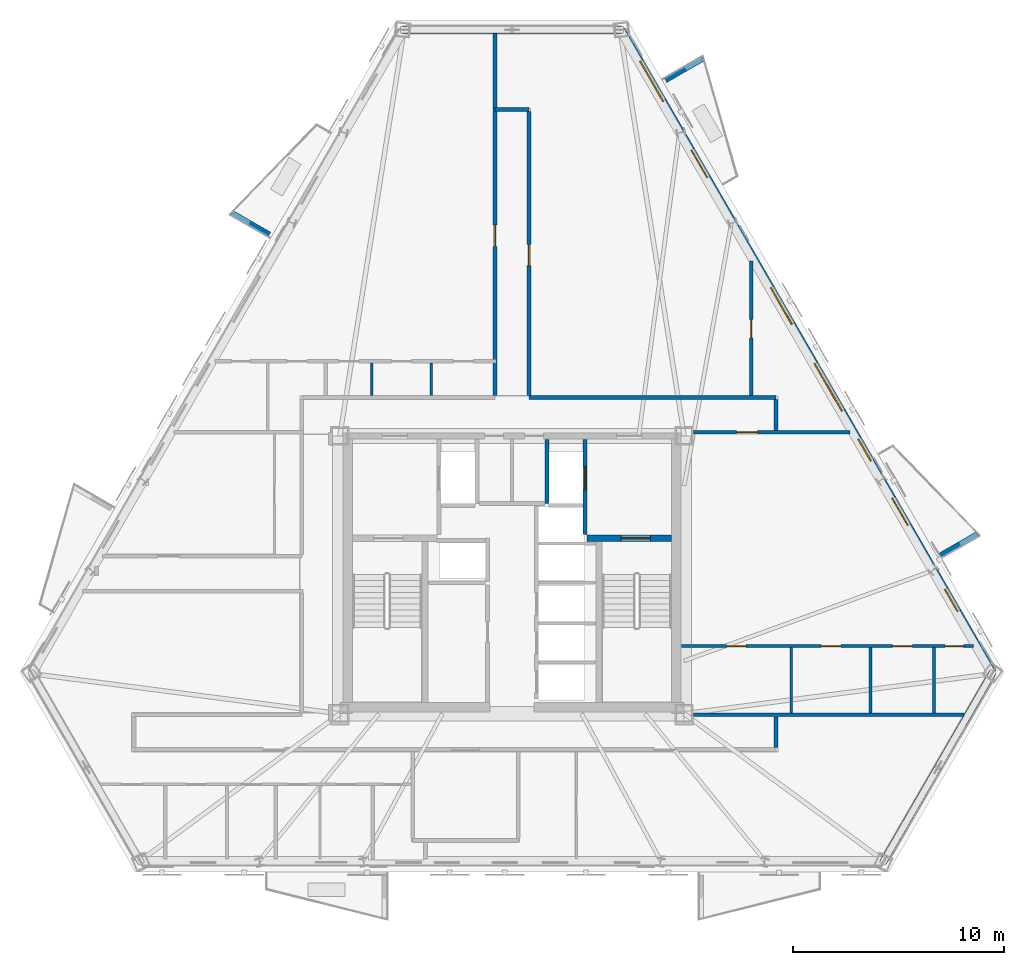
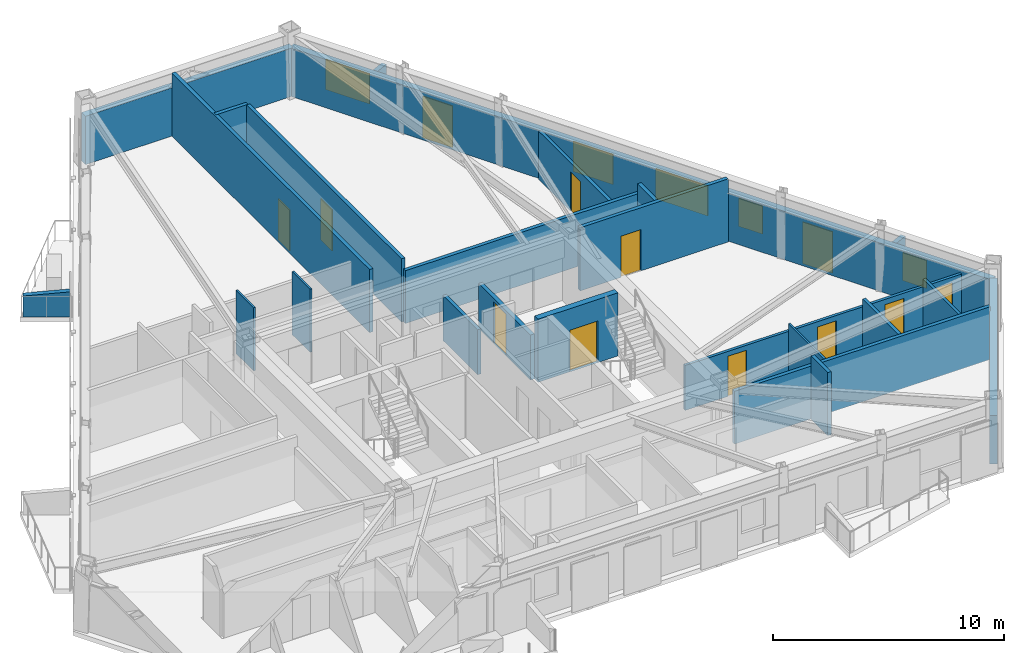
# One storey, part 5 of 9: 24 walls, 12 doors, 5 windows, 17 openings.
"""IFC4 building model written with IfcOpenShell, lengths in metres."""

import ifcopenshell
import ifcopenshell.guid

model = None  # the IFC model being written
_history = None  # IfcOwnerHistory: only IFC2X3 demands one
_inside = {}  # id of a spatial element -> (the spatial element, [elements in it])
_under = {}  # id of a project, library or spatial element -> (it, [spatial elements below it])
_declared = {}  # id of a project -> (the project, [libraries it declares])
_typed = {}  # id of a type object -> (the type object, [elements of that type])
_made_of = {}  # id of a material, layer set ... -> (it, [elements and type objects made of it])


def new_model(schema):
    """Start an empty IFC model of exactly this schema.

    Asked for "IFC4X3", IfcOpenShell would pick the latest addendum, in which some entities
    have other attributes; the version numbers below select the first issue.
    IFC2X3 requires an IfcOwnerHistory on every rooted entity: one is made here for all.
    """
    global model, _history
    if schema == "IFC4X3":
        model = ifcopenshell.file(schema_version=(4, 3, 0, 0))
    else:
        model = ifcopenshell.file(schema=schema)
    _inside.clear()
    _under.clear()
    _declared.clear()
    _typed.clear()
    _made_of.clear()
    _history = None
    if model.schema == "IFC2X3":
        org = make("IfcOrganization", Name="unknown")
        user = make(
            "IfcPersonAndOrganization",
            ThePerson=make("IfcPerson", FamilyName="unknown"),
            TheOrganization=org,
        )
        app = make(
            "IfcApplication",
            ApplicationDeveloper=org,
            Version="unknown",
            ApplicationFullName="unknown",
            ApplicationIdentifier="unknown",
        )
        _history = make(
            "IfcOwnerHistory",
            OwningUser=user,
            OwningApplication=app,
            ChangeAction="ADDED",
            CreationDate=0,
        )
    return model


def make(cls, **values):
    """One entity of the class cls with the attributes given. An attribute that is None is left unset."""
    return model.create_entity(
        cls, **{name: value for name, value in values.items() if value is not None}
    )


def rooted(cls, **values):
    """An entity with a GlobalId (a new one), such as an element, a storey or a relation."""
    return make(cls, GlobalId=ifcopenshell.guid.new(), OwnerHistory=_history, **values)


def si_unit(unit_type, name, prefix=None):
    """IfcSIUnit, for example si_unit("LENGTHUNIT", "METRE", prefix="MILLI")."""
    return make("IfcSIUnit", UnitType=unit_type, Prefix=prefix, Name=name)


def assignment(units):
    """IfcUnitAssignment: the units of a project."""
    return None if units is None else make("IfcUnitAssignment", Units=units)


def point(xyz):
    """IfcCartesianPoint."""
    return None if xyz is None else make("IfcCartesianPoint", Coordinates=xyz)


def direction(xyz):
    """IfcDirection."""
    return None if xyz is None else make("IfcDirection", DirectionRatios=xyz)


def frame(location, z_axis=None, x_axis=None):
    """IfcAxis2Placement3D, a coordinate frame: its origin and axes. An axis left out is left unset."""
    return make(
        "IfcAxis2Placement3D",
        Location=point(location),
        Axis=direction(z_axis),
        RefDirection=direction(x_axis),
    )


def frame_2d(location, x_axis=None):
    """IfcAxis2Placement2D, a coordinate frame in the plane: its origin and x axis."""
    return make(
        "IfcAxis2Placement2D", Location=point(location), RefDirection=direction(x_axis)
    )


def origin():
    """The frame at (0, 0, 0) with its axes left unset."""
    return frame((0.0, 0.0, 0.0))


def place(relative_to, where):
    """IfcLocalPlacement: puts the frame where relative to a parent placement (None: the world)."""
    return make(
        "IfcLocalPlacement", PlacementRelTo=relative_to, RelativePlacement=where
    )


def context(
    kind, dimensions, precision=None, world=None, true_north=None, identifier=None
):
    """IfcGeometricRepresentationContext, for example the 3D "Model" context."""
    return make(
        "IfcGeometricRepresentationContext",
        ContextIdentifier=identifier,
        ContextType=kind,
        CoordinateSpaceDimension=dimensions,
        Precision=precision,
        WorldCoordinateSystem=world,
        TrueNorth=true_north,
    )


def subcontext(parent, identifier, kind, view, scale=None):
    """IfcGeometricRepresentationSubContext, for example "Body" below "Model"."""
    return make(
        "IfcGeometricRepresentationSubContext",
        ContextIdentifier=identifier,
        ContextType=kind,
        ParentContext=parent,
        TargetScale=scale,
        TargetView=view,
    )


def project(units=None, contexts=None):
    """IfcProject with its units and contexts."""
    return rooted(
        "IfcProject",
        Name="project",
        RepresentationContexts=contexts,
        UnitsInContext=assignment(units),
    )


def spatial(cls, under=None, at=None, **own):
    """A site, building, storey or space (cls), placed at a placement, below another one or the project."""
    s = rooted(cls, ObjectPlacement=at, **own)
    if under is not None:
        _under.setdefault(under.id(), (under, []))[1].append(s)
    return s


def polyline(points):
    """IfcPolyline through the points."""
    return make("IfcPolyline", Points=[point(p) for p in points])


def profile(cls, at=None, kind="AREA", **sizes):
    """A parametric profile (cls). Its sizes go by their IFC names, for example OverallWidth=200.0."""
    return make(cls, ProfileType=kind, Position=at, **sizes)


def rectangle(**sizes):
    """IfcRectangleProfileDef."""
    return profile("IfcRectangleProfileDef", **sizes)


def outline(outer, holes=None, kind="AREA"):
    """IfcArbitraryClosedProfileDef: a profile drawn as a closed curve; with holes, ...WithVoids."""
    if holes is None:
        return make("IfcArbitraryClosedProfileDef", ProfileType=kind, OuterCurve=outer)
    return make(
        "IfcArbitraryProfileDefWithVoids",
        ProfileType=kind,
        OuterCurve=outer,
        InnerCurves=holes,
    )


def extrude(swept, where, along, depth):
    """IfcExtrudedAreaSolid: the profile swept, set in the frame where, extruded along a direction by depth."""
    return make(
        "IfcExtrudedAreaSolid",
        SweptArea=swept,
        Position=where,
        ExtrudedDirection=direction(along),
        Depth=depth,
    )


def shape(context_of_items, identifier, shape_type, items):
    """IfcShapeRepresentation: the items that make up one representation, for example the "Body"."""
    return make(
        "IfcShapeRepresentation",
        ContextOfItems=context_of_items,
        RepresentationIdentifier=identifier,
        RepresentationType=shape_type,
        Items=items,
    )


def material(Name=None, Category=None):
    """IfcMaterial."""
    return make("IfcMaterial", Name=Name, Category=Category)


def layer(
    of_material, thickness, ventilated=None, Name=None, Category=None, Priority=None
):
    """IfcMaterialLayer: one layer of a wall or slab, of a material (None: an air gap)."""
    return make(
        "IfcMaterialLayer",
        Material=of_material,
        LayerThickness=thickness,
        IsVentilated=ventilated,
        Name=Name,
        Category=Category,
        Priority=Priority,
    )


def layer_set(layers, Name=None):
    """IfcMaterialLayerSet."""
    return make("IfcMaterialLayerSet", MaterialLayers=layers, LayerSetName=Name)


def made_of(thing, what):
    """Note that an element or type object is made of a material, layer set ...; save() writes the relation."""
    if what is not None:
        _made_of.setdefault(what.id(), (what, []))[1].append(thing)
    return thing


def type_object(cls, material=None, **own):
    """A type object (cls), such as IfcWallType, which elements share."""
    return made_of(rooted(cls, **own), material)


def element(
    cls,
    number,
    at=None,
    inside=None,
    cuts=None,
    type_object=None,
    material=None,
    context=None,
    identifier="Body",
    shape_type=None,
    held_by="IfcProductDefinitionShape",
    body=None,
    shapes=None,
    **own,
):
    """One element of the class cls, such as IfcWall. Its Tag is "e" and its number.

    at: its placement. inside: the storey or other place that contains it. cuts: it is an
    opening in that element (IfcRelVoidsElement). A single representation is given by context,
    identifier, shape_type and body (its items); several are given by shapes. held_by: the class
    of the entity that holds the representations. save() writes the other relations.
    """
    e = rooted(cls, Tag="e%d" % number, ObjectPlacement=at, **own)
    if body is not None:
        shapes = [shape(context, identifier, shape_type, body)]
    if shapes is not None:
        e.Representation = make(held_by, Representations=shapes)
    if inside is not None:
        _inside.setdefault(inside.id(), (inside, []))[1].append(e)
    if cuts is not None:
        rooted(
            "IfcRelVoidsElement", RelatingBuildingElement=cuts, RelatedOpeningElement=e
        )
    if type_object is not None:
        _typed.setdefault(type_object.id(), (type_object, []))[1].append(e)
    return made_of(e, material)


def fill(opening, filler):
    """IfcRelFillsElement: the door or window that sits in an opening."""
    return rooted(
        "IfcRelFillsElement",
        RelatingOpeningElement=opening,
        RelatedBuildingElement=filler,
    )


def aggregate(whole, parts):
    """IfcRelAggregates: a whole, such as a stair, and the parts it consists of."""
    return rooted("IfcRelAggregates", RelatingObject=whole, RelatedObjects=parts)


def save(model, path):
    """Write the relations noted so far, then the file.

    IfcRelAggregates (storeys below a building ...), IfcRelContainedInSpatialStructure (elements
    in a storey), IfcRelDefinesByType, IfcRelAssociatesMaterial and IfcRelDeclares: one each for
    every whole, place, type object, material and project.
    """
    for whole, parts in _under.values():
        aggregate(whole, parts)
    for where, things in _inside.values():
        rooted(
            "IfcRelContainedInSpatialStructure",
            RelatedElements=things,
            RelatingStructure=where,
        )
    for kind, things in _typed.values():
        rooted("IfcRelDefinesByType", RelatedObjects=things, RelatingType=kind)
    for what, things in _made_of.values():
        rooted("IfcRelAssociatesMaterial", RelatedObjects=things, RelatingMaterial=what)
    for by, libraries in _declared.values():
        rooted("IfcRelDeclares", RelatingContext=by, RelatedDefinitions=libraries)
    model.write(path)


model = new_model("IFC4")

# Units and contexts
model_context = context("Model", 3, precision=1e-05, world=origin(), true_north=direction((0.0, 1.0)))
body_context = subcontext(model_context, "Body", "Model", "MODEL_VIEW")
ifc_project = project(units=[si_unit("LENGTHUNIT", "METRE"), si_unit("AREAUNIT", "SQUARE_METRE"), si_unit("VOLUMEUNIT", "CUBIC_METRE"), si_unit("PLANEANGLEUNIT", "RADIAN"), si_unit("MASSUNIT", "GRAM", prefix="KILO")], contexts=[model_context])

# Site, building, storey
site_placement = place(None, origin())
site = spatial("IfcSite", under=ifc_project, at=site_placement, CompositionType="ELEMENT")
building_placement = place(site_placement, origin())
building = spatial("IfcBuilding", under=site, at=building_placement, Name="Oramaril Tower", CompositionType="ELEMENT")
storey_placement = place(building_placement, frame((0.0, 0.0, 130.199951171875)))
storey = spatial("IfcBuildingStorey", under=building, at=storey_placement, Name="L34", CompositionType="ELEMENT", Elevation=130.199951171875)

# Wall
ifc_material_1 = material(Name="Warm Cream Limestone", Category="masonry")
ifc_layer_1 = layer(ifc_material_1, 0.340087890625)
ifc_layer_set_1 = layer_set([ifc_layer_1], Name="WT-EXT34")
wall_type_1 = type_object("IfcWallType", Name="WT-EXT34", PredefinedType="SOLIDWALL", material=ifc_layer_set_1)
wall_1_placement = place(storey_placement, frame((55.060791015625, 3.9599609375, 0.0), z_axis=(0.0, 0.0, 1.0), x_axis=(0.499998958472, 0.86602600511, 0.0)))
element("IfcWall", 1, at=wall_1_placement, inside=storey, type_object=wall_type_1, Name="L34 Tower Limestone Facade Wall 3M", PredefinedType="SOLIDWALL", context=body_context, shape_type="SweptSolid", body=[
    extrude(rectangle(XDim=10.39453125, YDim=0.340087890625, at=frame_2d((5.197265625, 0.0))), origin(), (0.0, 0.0, 1.0), 2.55810546875),
])

# Wall, openings, doors, windows
wall_2_placement = place(storey_placement, frame((60.258056640625, 12.9619140625, 0.0), z_axis=(0.0, 0.0, 1.0), x_axis=(-0.499999044439, 0.866025955477, 0.0)))
wall_2 = element("IfcWall", 2, at=wall_2_placement, inside=storey, type_object=wall_type_1, Name="L34 Tower Limestone Facade Wall 4M", PredefinedType="SOLIDWALL", context=body_context, shape_type="SweptSolid", body=[
    extrude(rectangle(XDim=35.12158203125, YDim=0.340087890625, at=frame_2d((17.560791015625, 0.0))), origin(), (0.0, 0.0, 1.0), 2.55810546875),
])
opening_1_placement = place(wall_2_placement, frame((8.034423828125, 0.0, 0.0)))
opening_1 = element("IfcOpeningElement", 3, at=opening_1_placement, cuts=wall_2, Name="Opening D-L34-BAL-NE1", PredefinedType="OPENING", context=body_context, shape_type="SweptSolid", body=[
    extrude(rectangle(XDim=1.5, YDim=2.199951171875, at=frame_2d((0.75, 1.10009765625))), frame((0.0, 0.169921875, 0.0), z_axis=(0.0, -1.0, 0.0), x_axis=(1.0, 0.0, 0.0)), (0.0, 0.0, 1.0), 0.340087890625),
])
opening_2_placement = place(wall_2_placement, frame((27.042236328125, 0.0, 0.0)))
opening_2 = element("IfcOpeningElement", 4, at=opening_2_placement, cuts=wall_2, Name="Opening D-L34-BAL-NE2", PredefinedType="OPENING", context=body_context, shape_type="SweptSolid", body=[
    extrude(rectangle(XDim=1.5, YDim=2.199951171875, at=frame_2d((0.75, 1.10009765625))), frame((0.0, 0.169921875, 0.0), z_axis=(0.0, -1.0, 0.0), x_axis=(1.0, 0.0, 0.0)), (0.0, 0.0, 1.0), 0.340087890625),
])
opening_3_placement = place(wall_2_placement, frame((3.326904296875, 0.0, 0.85009765625)))
opening_3 = element("IfcOpeningElement", 5, at=opening_3_placement, cuts=wall_2, Name="Opening WN-09", PredefinedType="OPENING", context=body_context, shape_type="SweptSolid", body=[
    extrude(rectangle(XDim=1.199951171875, YDim=1.47998046875, at=frame_2d((0.60009765625, 0.739990234375))), frame((0.0, 0.169921875, 0.0), z_axis=(0.0, -1.0, 0.0), x_axis=(1.0, 0.0, 0.0)), (0.0, 0.0, 1.0), 0.340087890625),
])
opening_4_placement = place(wall_2_placement, frame((11.543701171875, 0.0, 0.85009765625)))
opening_4 = element("IfcOpeningElement", 6, at=opening_4_placement, cuts=wall_2, Name="Opening WN-09", PredefinedType="OPENING", context=body_context, shape_type="SweptSolid", body=[
    extrude(rectangle(XDim=1.199951171875, YDim=1.47998046875, at=frame_2d((0.60009765625, 0.739990234375))), frame((0.0, 0.169921875, 0.0), z_axis=(0.0, -1.0, 0.0), x_axis=(1.0, 0.0, 0.0)), (0.0, 0.0, 1.0), 0.340087890625),
])
opening_5_placement = place(wall_2_placement, frame((31.20166015625, 0.0, 0.85009765625)))
opening_5 = element("IfcOpeningElement", 7, at=opening_5_placement, cuts=wall_2, Name="Opening WN-04", PredefinedType="OPENING", context=body_context, shape_type="SweptSolid", body=[
    extrude(rectangle(XDim=2.199951171875, YDim=1.597900390625, at=frame_2d((1.10009765625, 0.798828125))), frame((0.0, 0.169921875, 0.0), z_axis=(0.0, -1.0, 0.0), x_axis=(1.0, 0.0, 0.0)), (0.0, 0.0, 1.0), 0.340087890625),
])
opening_6_placement = place(wall_2_placement, frame((14.276611328125, 0.0, 0.85009765625)))
opening_6 = element("IfcOpeningElement", 8, at=opening_6_placement, cuts=wall_2, Name="Opening WN-02", PredefinedType="OPENING", context=body_context, shape_type="SweptSolid", body=[
    extrude(rectangle(XDim=2.60009765625, YDim=1.597900390625, at=frame_2d((1.300048828125, 0.798828125))), frame((0.0, 0.169921875, 0.0), z_axis=(0.0, -1.0, 0.0), x_axis=(1.0, 0.0, 0.0)), (0.0, 0.0, 1.0), 0.340087890625),
])
opening_7_placement = place(wall_2_placement, frame((19.02490234375, 0.0, 0.85009765625)))
opening_7 = element("IfcOpeningElement", 9, at=opening_7_placement, cuts=wall_2, Name="Opening WN-05", PredefinedType="OPENING", context=body_context, shape_type="SweptSolid", body=[
    extrude(rectangle(XDim=2.0, YDim=1.597900390625, at=frame_2d((1.0, 0.798828125))), frame((0.0, 0.169921875, 0.0), z_axis=(0.0, -1.0, 0.0), x_axis=(1.0, 0.0, 0.0)), (0.0, 0.0, 1.0), 0.340087890625),
])
ifc_material_2 = material(Name="Anodised Aluminium 6063-T6", Category="aluminium")
door_type_1 = type_object("IfcDoorType", Name="DT-BAL", OperationType="NOTDEFINED", PredefinedType="DOOR", material=ifc_material_2)
door_1_placement = place(opening_1_placement, origin())
door_1 = element("IfcDoor", 10, at=door_1_placement, inside=storey, type_object=door_type_1, Name="L34 Balcony Glazed Door L34-BAL-NE1", OperationType="SINGLE_SWING_LEFT", OverallHeight=2.199951171875, OverallWidth=1.5, PredefinedType="DOOR", context=body_context, shape_type="SweptSolid", body=[
    extrude(rectangle(XDim=1.5, YDim=2.199951171875, at=frame_2d((0.75, 1.10009765625))), frame((0.0, 0.02490234375, 0.0), z_axis=(0.0, -1.0, 0.0), x_axis=(1.0, 0.0, 0.0)), (0.0, 0.0, 1.0), 0.050048828125),
])
fill(opening_1, door_1)
door_2_placement = place(opening_2_placement, origin())
door_2 = element("IfcDoor", 11, at=door_2_placement, inside=storey, type_object=door_type_1, Name="L34 Balcony Glazed Door L34-BAL-NE2", OperationType="SINGLE_SWING_RIGHT", OverallHeight=2.199951171875, OverallWidth=1.5, PredefinedType="DOOR", context=body_context, shape_type="SweptSolid", body=[
    extrude(rectangle(XDim=1.5, YDim=2.199951171875, at=frame_2d((0.75, 1.10009765625))), frame((0.0, 0.02490234375, 0.0), z_axis=(0.0, -1.0, 0.0), x_axis=(1.0, 0.0, 0.0)), (0.0, 0.0, 1.0), 0.050048828125),
])
fill(opening_2, door_2)
ifc_material_3 = material(Name="Coastal Low-E Insulated Glass", Category="glass")
window_type_1 = type_object("IfcWindowType", Name="WNT-02", PartitioningType="SINGLE_PANEL", PredefinedType="WINDOW", material=ifc_material_3)
window_1_placement = place(opening_6_placement, origin())
window_1 = element("IfcWindow", 12, at=window_1_placement, inside=storey, type_object=window_type_1, Name="L34 Chicago Bay Window WN-02", OverallHeight=1.597900390625, OverallWidth=2.60009765625, PartitioningType="SINGLE_PANEL", PredefinedType="WINDOW", context=body_context, shape_type="SweptSolid", body=[
    extrude(rectangle(XDim=2.60009765625, YDim=1.597900390625, at=frame_2d((1.300048828125, 0.798828125))), frame((0.0, 0.030029296875, 0.0), z_axis=(0.0, -1.0, 0.0), x_axis=(1.0, 0.0, 0.0)), (0.0, 0.0, 1.0), 0.06005859375),
])
fill(opening_6, window_1)
ifc_material_4 = material(Name="Coastal Low-E Insulated Glass", Category="glass")
window_type_2 = type_object("IfcWindowType", Name="WNT-04", PartitioningType="SINGLE_PANEL", PredefinedType="WINDOW", material=ifc_material_4)
window_2_placement = place(opening_5_placement, origin())
window_2 = element("IfcWindow", 13, at=window_2_placement, inside=storey, type_object=window_type_2, Name="L34 Chicago Bay Window WN-04", OverallHeight=1.597900390625, OverallWidth=2.199951171875, PartitioningType="SINGLE_PANEL", PredefinedType="WINDOW", context=body_context, shape_type="SweptSolid", body=[
    extrude(rectangle(XDim=2.199951171875, YDim=1.597900390625, at=frame_2d((1.10009765625, 0.798828125))), frame((0.0, 0.030029296875, 0.0), z_axis=(0.0, -1.0, 0.0), x_axis=(1.0, 0.0, 0.0)), (0.0, 0.0, 1.0), 0.06005859375),
])
fill(opening_5, window_2)
ifc_material_5 = material(Name="Coastal Low-E Insulated Glass", Category="glass")
window_type_3 = type_object("IfcWindowType", Name="WNT-05", PartitioningType="SINGLE_PANEL", PredefinedType="WINDOW", material=ifc_material_5)
window_3_placement = place(opening_7_placement, origin())
window_3 = element("IfcWindow", 14, at=window_3_placement, inside=storey, type_object=window_type_3, Name="L34 Chicago Bay Window WN-05", OverallHeight=1.597900390625, OverallWidth=2.0, PartitioningType="SINGLE_PANEL", PredefinedType="WINDOW", context=body_context, shape_type="SweptSolid", body=[
    extrude(rectangle(XDim=2.0, YDim=1.597900390625, at=frame_2d((1.0, 0.798828125))), frame((0.0, 0.030029296875, 0.0), z_axis=(0.0, -1.0, 0.0), x_axis=(1.0, 0.0, 0.0)), (0.0, 0.0, 1.0), 0.06005859375),
])
fill(opening_7, window_3)
ifc_material_6 = material(Name="Coastal Low-E Insulated Glass", Category="glass")
window_type_4 = type_object("IfcWindowType", Name="WNT-09", PartitioningType="SINGLE_PANEL", PredefinedType="WINDOW", material=ifc_material_6)
window_4_placement = place(opening_3_placement, origin())
window_4 = element("IfcWindow", 15, at=window_4_placement, inside=storey, type_object=window_type_4, Name="L34 Chicago Bay Window WN-09", OverallHeight=1.47998046875, OverallWidth=1.199951171875, PartitioningType="SINGLE_PANEL", PredefinedType="WINDOW", context=body_context, shape_type="SweptSolid", body=[
    extrude(rectangle(XDim=1.199951171875, YDim=1.47998046875, at=frame_2d((0.60009765625, 0.739990234375))), frame((0.0, 0.030029296875, 0.0), z_axis=(0.0, -1.0, 0.0), x_axis=(1.0, 0.0, 0.0)), (0.0, 0.0, 1.0), 0.06005859375),
])
fill(opening_3, window_4)
window_5_placement = place(opening_4_placement, origin())
window_5 = element("IfcWindow", 16, at=window_5_placement, inside=storey, type_object=window_type_4, Name="L34 Chicago Bay Window WN-09", OverallHeight=1.47998046875, OverallWidth=1.199951171875, PartitioningType="SINGLE_PANEL", PredefinedType="WINDOW", context=body_context, shape_type="SweptSolid", body=[
    extrude(rectangle(XDim=1.199951171875, YDim=1.47998046875, at=frame_2d((0.60009765625, 0.739990234375))), frame((0.0, 0.030029296875, 0.0), z_axis=(0.0, -1.0, 0.0), x_axis=(1.0, 0.0, 0.0)), (0.0, 0.0, 1.0), 0.06005859375),
])
fill(opening_4, window_5)

# Walls
wall_3_placement = place(storey_placement, frame((42.697265625, 43.378173828125, 0.0), z_axis=(0.0, 0.0, 1.0), x_axis=(-1.0, 0.0, 0.0)))
element("IfcWall", 17, at=wall_3_placement, inside=storey, type_object=wall_type_1, Name="L34 Tower Limestone Facade Wall 5M", PredefinedType="SOLIDWALL", context=body_context, shape_type="SweptSolid", body=[
    extrude(rectangle(XDim=10.39453125, YDim=0.340087890625, at=frame_2d((5.197265625, 0.0))), origin(), (0.0, 0.0, 1.0), 2.55810546875),
])
ifc_material_7 = material(Name="Concrete C40/50", Category="concrete")
ifc_layer_2 = layer(ifc_material_7, 0.22998046875)
ifc_layer_set_2 = layer_set([ifc_layer_2], Name="WT-PRP23")
wall_type_2 = type_object("IfcWallType", Name="WT-PRP23", PredefinedType="PARAPET", material=ifc_layer_set_2)
for number, where, z_axis, x_axis, name in (
    (18, (57.75634765625, 18.4912109375, 0.0), (0.0, 0.0, 1.0), (0.866012356593, 0.500022597718, 0.0), "L34 Trapezoidal Balcony Frame Cheek L34-BAL-NE1-L"),
    (19, (44.7724609375, 40.97998046875, 0.0), (0.0, 0.0, 1.0), (0.866012356593, 0.500022597718, 0.0), "L34 Trapezoidal Balcony Frame Cheek L34-BAL-NE2-R"),
    (20, (26.02001953125, 33.6923828125, 0.0), (0.0, 0.0, 1.0), (-0.866012356593, 0.500022597718, 0.0), "L34 Trapezoidal Balcony Frame Cheek L34-BAL-NW1-R"),
):
    element("IfcWall", number, at=place(storey_placement, frame(where, z_axis=z_axis, x_axis=x_axis)), inside=storey, type_object=wall_type_2, Name=name, PredefinedType="PARAPET", context=body_context, shape_type="SweptSolid", body=[
        extrude(outline(polyline([(0.0, 0.0), (2.0419921875, 0.0), (2.0419921875, 1.10009765625), (0.0, 1.320068359375), (0.0, 0.0)])), frame((0.0, 0.114990234375, 0.0), z_axis=(0.0, -1.0, 0.0), x_axis=(1.0, 0.0, 0.0)), (0.0, 0.0, 1.0), 0.22998046875),
    ])
ifc_material_8 = material(Name="Acoustic Gypsum Board Partition")
ifc_layer_3 = layer(ifc_material_8, 0.10009765625)
ifc_layer_set_3 = layer_set([ifc_layer_3], Name="WT-PT10")
wall_type_3 = type_object("IfcWallType", Name="WT-PT10", PredefinedType="PARTITIONING", material=ifc_layer_set_3)
for number, where, z_axis, x_axis, name in (
    (21, (30.860107421875, 26.06396484375, 0.0), (0.0, 0.0, 1.0), (0.0, 1.0, 0.0), "L34 Interior Partition PT-10"),
    (22, (33.679931640625, 26.06396484375, 0.0), (0.0, 0.0, 1.0), (0.0, 1.0, 0.0), "L34 Interior Partition PT-10"),
):
    element("IfcWall", number, at=place(storey_placement, frame(where, z_axis=z_axis, x_axis=x_axis)), inside=storey, type_object=wall_type_3, Name=name, PredefinedType="PARTITIONING", context=body_context, shape_type="SweptSolid", body=[
        extrude(rectangle(XDim=1.5419921875, YDim=0.10009765625, at=frame_2d((0.77099609375, 0.0))), origin(), (0.0, 0.0, 1.0), 3.340087890625),
    ])
wall_4_placement = place(storey_placement, frame((50.719970703125, 11.0439453125, 0.0), z_axis=(0.0, 0.0, 1.0), x_axis=(0.0, 1.0, 0.0)))
element("IfcWall", 23, at=wall_4_placement, inside=storey, type_object=wall_type_3, Name="L34 Interior Partition PT-10", PredefinedType="PARTITIONING", context=body_context, shape_type="SweptSolid", body=[
    extrude(rectangle(XDim=3.08203125, YDim=0.10009765625, at=frame_2d((1.541015625, 0.0))), origin(), (0.0, 0.0, 1.0), 2.7939453125),
])

# Wall, openings, doors
ifc_material_9 = material(Name="Acoustic Gypsum Board Partition")
ifc_layer_4 = layer(ifc_material_9, 0.139892578125)
ifc_layer_set_4 = layer_set([ifc_layer_4], Name="WT-PT14")
wall_type_4 = type_object("IfcWallType", Name="WT-PT14", PredefinedType="PARTITIONING", material=ifc_layer_set_4)
wall_5_placement = place(storey_placement, frame((45.513916015625, 14.199951171875, 0.0), z_axis=(0.0, 0.0, 1.0), x_axis=(1.0, 0.0, 0.0)))
wall_5 = element("IfcWall", 24, at=wall_5_placement, inside=storey, type_object=wall_type_4, Name="L34 Interior Partition PT-14", PredefinedType="PARTITIONING", context=body_context, shape_type="SweptSolid", body=[
    extrude(rectangle(XDim=13.828369140625, YDim=0.139892578125, at=frame_2d((6.9140625, 0.0))), origin(), (0.0, 0.0, 1.0), 2.380126953125),
])
opening_8_placement = place(wall_5_placement, frame((2.14990234375, 0.0, 0.0)))
opening_8 = element("IfcOpeningElement", 25, at=opening_8_placement, cuts=wall_5, Name="Opening D-L34-10", PredefinedType="OPENING", context=body_context, shape_type="SweptSolid", body=[
    extrude(rectangle(XDim=0.919921875, YDim=2.1201171875, at=frame_2d((0.4599609375, 1.06005859375))), frame((0.0, 0.06982421875, 0.0), z_axis=(0.0, -1.0, 0.0), x_axis=(1.0, 0.0, 0.0)), (0.0, 0.0, 1.0), 0.139892578125),
])
opening_9_placement = place(wall_5_placement, frame((6.607177734375, 0.0, 0.0)))
opening_9 = element("IfcOpeningElement", 26, at=opening_9_placement, cuts=wall_5, Name="Opening D-L34-11", PredefinedType="OPENING", context=body_context, shape_type="SweptSolid", body=[
    extrude(rectangle(XDim=0.949951171875, YDim=2.10009765625, at=frame_2d((0.47509765625, 1.050048828125))), frame((0.0, 0.06982421875, 0.0), z_axis=(0.0, -1.0, 0.0), x_axis=(1.0, 0.0, 0.0)), (0.0, 0.0, 1.0), 0.139892578125),
])
opening_10_placement = place(wall_5_placement, frame((9.98828125, 0.0, 0.0)))
opening_10 = element("IfcOpeningElement", 27, at=opening_10_placement, cuts=wall_5, Name="Opening D-L34-12", PredefinedType="OPENING", context=body_context, shape_type="SweptSolid", body=[
    extrude(rectangle(XDim=0.949951171875, YDim=2.10009765625, at=frame_2d((0.47509765625, 1.050048828125))), frame((0.0, 0.06982421875, 0.0), z_axis=(0.0, -1.0, 0.0), x_axis=(1.0, 0.0, 0.0)), (0.0, 0.0, 1.0), 0.139892578125),
])
opening_11_placement = place(wall_5_placement, frame((12.486083984375, 0.0, 0.0)))
opening_11 = element("IfcOpeningElement", 28, at=opening_11_placement, cuts=wall_5, Name="Opening D-L34-13", PredefinedType="OPENING", context=body_context, shape_type="SweptSolid", body=[
    extrude(rectangle(XDim=0.8798828125, YDim=2.080078125, at=frame_2d((0.43994140625, 1.0400390625))), frame((0.0, 0.06982421875, 0.0), z_axis=(0.0, -1.0, 0.0), x_axis=(1.0, 0.0, 0.0)), (0.0, 0.0, 1.0), 0.139892578125),
])
ifc_material_10 = material(Name="FSC Brazilian Freijo Hardwood", Category="wood")
door_type_2 = type_object("IfcDoorType", Name="DT-BATH", OperationType="NOTDEFINED", PredefinedType="DOOR", material=ifc_material_10)
door_3_placement = place(opening_11_placement, origin())
door_3 = element("IfcDoor", 29, at=door_3_placement, inside=storey, type_object=door_type_2, Name="L34 Flat L34-U4 Bathroom Door D-L34-13", OperationType="SINGLE_SWING_LEFT", OverallHeight=2.080078125, OverallWidth=0.8798828125, PredefinedType="DOOR", context=body_context, shape_type="SweptSolid", body=[
    extrude(rectangle(XDim=0.8798828125, YDim=2.080078125, at=frame_2d((0.43994140625, 1.0400390625))), frame((0.0, 0.02490234375, 0.0), z_axis=(0.0, -1.0, 0.0), x_axis=(1.0, 0.0, 0.0)), (0.0, 0.0, 1.0), 0.050048828125),
])
fill(opening_11, door_3)
ifc_material_11 = material(Name="FSC Brazilian Freijo Hardwood", Category="wood")
door_type_3 = type_object("IfcDoorType", Name="DT-BED", OperationType="NOTDEFINED", PredefinedType="DOOR", material=ifc_material_11)
door_4_placement = place(opening_8_placement, origin())
door_4 = element("IfcDoor", 30, at=door_4_placement, inside=storey, type_object=door_type_3, Name="L34 Flat L34-U4 Master Bedroom Door D-L34-10", OperationType="SINGLE_SWING_RIGHT", OverallHeight=2.1201171875, OverallWidth=0.919921875, PredefinedType="DOOR", context=body_context, shape_type="SweptSolid", body=[
    extrude(rectangle(XDim=0.919921875, YDim=2.1201171875, at=frame_2d((0.4599609375, 1.06005859375))), frame((0.0, 0.02490234375, 0.0), z_axis=(0.0, -1.0, 0.0), x_axis=(1.0, 0.0, 0.0)), (0.0, 0.0, 1.0), 0.050048828125),
])
fill(opening_8, door_4)
ifc_material_12 = material(Name="FSC Brazilian Freijo Hardwood", Category="wood")
door_type_4 = type_object("IfcDoorType", Name="DT-STDY", OperationType="NOTDEFINED", PredefinedType="DOOR", material=ifc_material_12)
door_5_placement = place(opening_9_placement, origin())
door_5 = element("IfcDoor", 31, at=door_5_placement, inside=storey, type_object=door_type_4, Name="L34 Flat L34-U4 Dining Room Door D-L34-11", OperationType="SINGLE_SWING_LEFT", OverallHeight=2.10009765625, OverallWidth=0.949951171875, PredefinedType="DOOR", context=body_context, shape_type="SweptSolid", body=[
    extrude(rectangle(XDim=0.949951171875, YDim=2.10009765625, at=frame_2d((0.47509765625, 1.050048828125))), frame((0.0, 0.02490234375, 0.0), z_axis=(0.0, -1.0, 0.0), x_axis=(1.0, 0.0, 0.0)), (0.0, 0.0, 1.0), 0.050048828125),
])
fill(opening_9, door_5)
door_6_placement = place(opening_10_placement, origin())
door_6 = element("IfcDoor", 32, at=door_6_placement, inside=storey, type_object=door_type_4, Name="L34 Flat L34-U4 Kitchen Door D-L34-12", OperationType="SINGLE_SWING_RIGHT", OverallHeight=2.10009765625, OverallWidth=0.949951171875, PredefinedType="DOOR", context=body_context, shape_type="SweptSolid", body=[
    extrude(rectangle(XDim=0.949951171875, YDim=2.10009765625, at=frame_2d((0.47509765625, 1.050048828125))), frame((0.0, 0.02490234375, 0.0), z_axis=(0.0, -1.0, 0.0), x_axis=(1.0, 0.0, 0.0)), (0.0, 0.0, 1.0), 0.050048828125),
])
fill(opening_10, door_6)

# Wall
wall_6_placement = place(storey_placement, frame((57.47998046875, 11.0439453125, 0.0), z_axis=(0.0, 0.0, 1.0), x_axis=(0.0, 1.0, 0.0)))
element("IfcWall", 33, at=wall_6_placement, inside=storey, type_object=wall_type_4, Name="L34 Interior Partition PT-14", PredefinedType="PARTITIONING", context=body_context, shape_type="SweptSolid", body=[
    extrude(rectangle(XDim=3.08203125, YDim=0.139892578125, at=frame_2d((1.541015625, 0.0))), origin(), (0.0, 0.0, 1.0), 2.7939453125),
])

# Wall, opening, door
ifc_material_13 = material(Name="Acoustic Gypsum Board Partition")
ifc_layer_5 = layer(ifc_material_13, 0.159912109375)
ifc_layer_set_5 = layer_set([ifc_layer_5], Name="WT-PT16")
wall_type_5 = type_object("IfcWallType", Name="WT-PT16", PredefinedType="PARTITIONING", material=ifc_layer_set_5)
wall_7_placement = place(storey_placement, frame((48.820068359375, 26.06396484375, 0.0), z_axis=(0.0, 0.0, 1.0), x_axis=(0.0, 1.0, 0.0)))
wall_7 = element("IfcWall", 34, at=wall_7_placement, inside=storey, type_object=wall_type_5, Name="L34 Interior Partition PT-16", PredefinedType="PARTITIONING", context=body_context, shape_type="SweptSolid", body=[
    extrude(rectangle(XDim=6.361328125, YDim=0.159912109375, at=frame_2d((3.1806640625, 0.0))), origin(), (0.0, 0.0, 1.0), 2.55810546875),
])
opening_12_placement = place(wall_7_placement, frame((2.72412109375, 0.0, 0.0)))
opening_12 = element("IfcOpeningElement", 35, at=opening_12_placement, cuts=wall_7, Name="Opening D-L34-25", PredefinedType="OPENING", context=body_context, shape_type="SweptSolid", body=[
    extrude(rectangle(XDim=0.8798828125, YDim=2.080078125, at=frame_2d((0.43994140625, 1.0400390625))), frame((0.0, 0.080078125, 0.0), z_axis=(0.0, -1.0, 0.0), x_axis=(1.0, 0.0, 0.0)), (0.0, 0.0, 1.0), 0.159912109375),
])
door_7_placement = place(opening_12_placement, origin())
door_7 = element("IfcDoor", 36, at=door_7_placement, inside=storey, type_object=door_type_2, Name="L34 Flat L34-U6 Bathroom Door D-L34-25", OperationType="SINGLE_SWING_LEFT", OverallHeight=2.080078125, OverallWidth=0.8798828125, PredefinedType="DOOR", context=body_context, shape_type="SweptSolid", body=[
    extrude(rectangle(XDim=0.8798828125, YDim=2.080078125, at=frame_2d((0.43994140625, 1.0400390625))), frame((0.0, 0.02490234375, 0.0), z_axis=(0.0, -1.0, 0.0), x_axis=(1.0, 0.0, 0.0)), (0.0, 0.0, 1.0), 0.050048828125),
])
fill(opening_12, door_7)

# Walls
wall_8_placement = place(storey_placement, frame((54.469970703125, 11.0439453125, 0.0), z_axis=(0.0, 0.0, 1.0), x_axis=(0.0, 1.0, 0.0)))
element("IfcWall", 37, at=wall_8_placement, inside=storey, type_object=wall_type_5, Name="L34 Interior Partition PT-16", PredefinedType="PARTITIONING", context=body_context, shape_type="SweptSolid", body=[
    extrude(rectangle(XDim=3.08203125, YDim=0.159912109375, at=frame_2d((1.541015625, 0.0))), origin(), (0.0, 0.0, 1.0), 2.7939453125),
])
ifc_material_14 = material(Name="Autoclaved Cellular Concrete Block", Category="concrete")
ifc_layer_6 = layer(ifc_material_14, 0.179931640625)
ifc_layer_set_6 = layer_set([ifc_layer_6], Name="WT-PT18")
wall_type_6 = type_object("IfcWallType", Name="WT-PT18", PredefinedType="PARTITIONING", material=ifc_layer_set_6)
wall_9_placement = place(storey_placement, frame((39.159912109375, 20.9599609375, 0.0), z_axis=(0.0, 0.0, 1.0), x_axis=(0.0, 1.0, 0.0)))
element("IfcWall", 38, at=wall_9_placement, inside=storey, type_object=wall_type_6, Name="L34 FL-2 West Shaft Wall", PredefinedType="PARTITIONING", context=body_context, shape_type="SweptSolid", body=[
    extrude(rectangle(XDim=3.02001953125, YDim=0.179931640625, at=frame_2d((1.510009765625, 0.0))), origin(), (0.0, 0.0, 1.0), 2.380126953125),
])
wall_10_placement = place(storey_placement, frame((46.090087890625, 10.949951171875, 0.0), z_axis=(0.0, 0.0, 1.0), x_axis=(1.0, 0.0, 0.0)))
element("IfcWall", 39, at=wall_10_placement, inside=storey, type_object=wall_type_6, Name="L34 Interior Partition PT-18", PredefinedType="PARTITIONING", context=body_context, shape_type="SweptSolid", body=[
    extrude(rectangle(XDim=12.805419921875, YDim=0.179931640625, at=frame_2d((6.40283203125, 0.0))), origin(), (0.0, 0.0, 1.0), 2.7939453125),
])

# Wall, opening, door
wall_11_placement = place(storey_placement, frame((46.090087890625, 24.320068359375, 0.0), z_axis=(0.0, 0.0, 1.0), x_axis=(1.0, 0.0, 0.0)))
wall_11 = element("IfcWall", 40, at=wall_11_placement, inside=storey, type_object=wall_type_6, Name="L34 Interior Partition PT-18", PredefinedType="PARTITIONING", context=body_context, shape_type="SweptSolid", body=[
    extrude(rectangle(XDim=7.409423828125, YDim=0.179931640625, at=frame_2d((3.70458984375, 0.0))), origin(), (0.0, 0.0, 1.0), 3.340087890625),
])
opening_13_placement = place(wall_11_placement, frame((2.040771484375, 0.0, 0.0)))
opening_13 = element("IfcOpeningElement", 41, at=opening_13_placement, cuts=wall_11, Name="Opening D-L34-15", PredefinedType="OPENING", context=body_context, shape_type="SweptSolid", body=[
    extrude(rectangle(XDim=1.0, YDim=2.179931640625, at=frame_2d((0.5, 1.08984375))), frame((0.0, 0.08984375, 0.0), z_axis=(0.0, -1.0, 0.0), x_axis=(1.0, 0.0, 0.0)), (0.0, 0.0, 1.0), 0.179931640625),
])
ifc_material_15 = material(Name="FSC Brazilian Freijo Hardwood", Category="wood")
door_type_5 = type_object("IfcDoorType", Name="DT-APT", OperationType="NOTDEFINED", PredefinedType="DOOR", material=ifc_material_15)
door_8_placement = place(opening_13_placement, origin())
door_8 = element("IfcDoor", 42, at=door_8_placement, inside=storey, type_object=door_type_5, Name="L34 Flat L34-U4 Penthouse Living and Dining Room Door D-L34-15", OperationType="SINGLE_SWING_LEFT", OverallHeight=2.179931640625, OverallWidth=1.0, PredefinedType="DOOR", context=body_context, shape_type="SweptSolid", body=[
    extrude(rectangle(XDim=1.0, YDim=2.179931640625, at=frame_2d((0.5, 1.08984375))), frame((0.0, 0.02490234375, 0.0), z_axis=(0.0, -1.0, 0.0), x_axis=(1.0, 0.0, 0.0)), (0.0, 0.0, 1.0), 0.050048828125),
])
fill(opening_13, door_8)

# Walls
wall_12_placement = place(storey_placement, frame((38.300048828125, 25.969970703125, 0.0), z_axis=(0.0, 0.0, 1.0), x_axis=(1.0, 0.0, 0.0)))
element("IfcWall", 43, at=wall_12_placement, inside=storey, type_object=wall_type_6, Name="L34 Interior Partition PT-18", PredefinedType="PARTITIONING", context=body_context, shape_type="SweptSolid", body=[
    extrude(rectangle(XDim=11.699951171875, YDim=0.179931640625, at=frame_2d((5.85009765625, 0.0))), origin(), (0.0, 0.0, 1.0), 2.7939453125),
])
wall_13_placement = place(storey_placement, frame((36.699951171875, 39.60009765625, 0.0), z_axis=(0.0, 0.0, 1.0), x_axis=(1.0, 0.0, 0.0)))
element("IfcWall", 44, at=wall_13_placement, inside=storey, type_object=wall_type_6, Name="L34 Interior Partition PT-18", PredefinedType="PARTITIONING", context=body_context, shape_type="SweptSolid", body=[
    extrude(rectangle(XDim=1.60009765625, YDim=0.179931640625, at=frame_2d((0.800048828125, 0.0))), origin(), (0.0, 0.0, 1.0), 3.340087890625),
])

# Wall, opening, door
wall_14_placement = place(storey_placement, frame((36.699951171875, 26.06396484375, 0.0), z_axis=(0.0, 0.0, 1.0), x_axis=(0.0, 1.0, 0.0)))
wall_14 = element("IfcWall", 45, at=wall_14_placement, inside=storey, type_object=wall_type_6, Name="L34 Interior Partition PT-18", PredefinedType="PARTITIONING", context=body_context, shape_type="SweptSolid", body=[
    extrude(rectangle(XDim=17.14013671875, YDim=0.179931640625, at=frame_2d((8.570068359375, 0.0))), origin(), (0.0, 0.0, 1.0), 3.340087890625),
])
opening_14_placement = place(wall_14_placement, frame((7.06005859375, 0.0, 0.0)))
opening_14 = element("IfcOpeningElement", 46, at=opening_14_placement, cuts=wall_14, Name="Opening D-L34-22", PredefinedType="OPENING", context=body_context, shape_type="SweptSolid", body=[
    extrude(rectangle(XDim=1.0, YDim=2.179931640625, at=frame_2d((0.5, 1.08984375))), frame((0.0, 0.08984375, 0.0), z_axis=(0.0, -1.0, 0.0), x_axis=(1.0, 0.0, 0.0)), (0.0, 0.0, 1.0), 0.179931640625),
])
door_9_placement = place(opening_14_placement, origin())
door_9 = element("IfcDoor", 47, at=door_9_placement, inside=storey, type_object=door_type_5, Name="L34 Flat L34-U5 Studio Apartment Door D-L34-22", OperationType="SINGLE_SWING_RIGHT", OverallHeight=2.179931640625, OverallWidth=1.0, PredefinedType="DOOR", context=body_context, shape_type="SweptSolid", body=[
    extrude(rectangle(XDim=1.0, YDim=2.179931640625, at=frame_2d((0.5, 1.08984375))), frame((0.0, 0.02490234375, 0.0), z_axis=(0.0, -1.0, 0.0), x_axis=(1.0, 0.0, 0.0)), (0.0, 0.0, 1.0), 0.050048828125),
])
fill(opening_14, door_9)

wall_15_placement = place(storey_placement, frame((38.300048828125, 26.06396484375, 0.0), z_axis=(0.0, 0.0, 1.0), x_axis=(0.0, 1.0, 0.0)))
wall_15 = element("IfcWall", 48, at=wall_15_placement, inside=storey, type_object=wall_type_6, Name="L34 Interior Partition PT-18", PredefinedType="PARTITIONING", context=body_context, shape_type="SweptSolid", body=[
    extrude(rectangle(XDim=13.442138671875, YDim=0.179931640625, at=frame_2d((6.72119140625, 0.0))), origin(), (0.0, 0.0, 1.0), 3.340087890625),
])
opening_15_placement = place(wall_15_placement, frame((6.146484375, 0.0, 0.0)))
opening_15 = element("IfcOpeningElement", 49, at=opening_15_placement, cuts=wall_15, Name="Opening D-L34-23", PredefinedType="OPENING", context=body_context, shape_type="SweptSolid", body=[
    extrude(rectangle(XDim=1.0, YDim=2.179931640625, at=frame_2d((0.5, 1.08984375))), frame((0.0, 0.08984375, 0.0), z_axis=(0.0, -1.0, 0.0), x_axis=(1.0, 0.0, 0.0)), (0.0, 0.0, 1.0), 0.179931640625),
])
door_10_placement = place(opening_15_placement, origin())
door_10 = element("IfcDoor", 50, at=door_10_placement, inside=storey, type_object=door_type_5, Name="L34 Flat L34-U6 Kitchen and Studio Apartment Door D-L34-23", OperationType="SINGLE_SWING_LEFT", OverallHeight=2.179931640625, OverallWidth=1.0, PredefinedType="DOOR", context=body_context, shape_type="SweptSolid", body=[
    extrude(rectangle(XDim=1.0, YDim=2.179931640625, at=frame_2d((0.5, 1.08984375))), frame((0.0, 0.02490234375, 0.0), z_axis=(0.0, -1.0, 0.0), x_axis=(1.0, 0.0, 0.0)), (0.0, 0.0, 1.0), 0.050048828125),
])
fill(opening_15, door_10)

# Walls
for number, where, z_axis, x_axis, name in (
    (51, (50.0, 9.39404296875, 0.0), (0.0, 0.0, 1.0), (0.0, 1.0, 0.0), "L34 Interior Partition PT-18"),
    (52, (50.0, 24.4140625, 0.0), (0.0, 0.0, 1.0), (0.0, 1.0, 0.0), "L34 Interior Partition PT-18"),
):
    element("IfcWall", number, at=place(storey_placement, frame(where, z_axis=z_axis, x_axis=x_axis)), inside=storey, type_object=wall_type_6, Name=name, PredefinedType="PARTITIONING", context=body_context, shape_type="SweptSolid", body=[
        extrude(rectangle(XDim=1.4619140625, YDim=0.179931640625, at=frame_2d((0.73095703125, 0.0))), origin(), (0.0, 0.0, 1.0), 3.340087890625),
    ])

# Wall, opening, door
ifc_material_16 = material(Name="Concrete C50/60", Category="concrete")
ifc_layer_7 = layer(ifc_material_16, 0.300048828125)
ifc_layer_set_7 = layer_set([ifc_layer_7], Name="WT-SH30")
wall_type_7 = type_object("IfcWallType", Name="WT-SH30", PredefinedType="SHEAR", material=ifc_layer_set_7)
wall_16_placement = place(storey_placement, frame((41.050048828125, 19.31005859375, 0.0), z_axis=(0.0, 0.0, 1.0), x_axis=(1.0, 0.0, 0.0)))
wall_16 = element("IfcWall", 53, at=wall_16_placement, inside=storey, type_object=wall_type_7, Name="L34 Core Shear Wall CW-ST2N", PredefinedType="SHEAR", context=body_context, shape_type="SweptSolid", body=[
    extrude(rectangle(XDim=4.010009765625, YDim=0.300048828125, at=frame_2d((2.0048828125, 0.0))), origin(), (0.0, 0.0, 1.0), 3.340087890625),
])
opening_16_placement = place(wall_16_placement, frame((1.60009765625, 0.0, 0.0)))
opening_16 = element("IfcOpeningElement", 54, at=opening_16_placement, cuts=wall_16, Name="Opening D-L34-ST2", PredefinedType="OPENING", context=body_context, shape_type="SweptSolid", body=[
    extrude(rectangle(XDim=1.39990234375, YDim=2.199951171875, at=frame_2d((0.699951171875, 1.10009765625))), frame((0.0, 0.14990234375, 0.0), z_axis=(0.0, -1.0, 0.0), x_axis=(1.0, 0.0, 0.0)), (0.0, 0.0, 1.0), 0.300048828125),
])
ifc_material_17 = material(Name="Painted Galvanised Steel", Category="steel")
door_type_6 = type_object("IfcDoorType", Name="DT-ST", OperationType="NOTDEFINED", PredefinedType="DOOR", material=ifc_material_17)
door_11_placement = place(opening_16_placement, origin())
door_11 = element("IfcDoor", 55, at=door_11_placement, inside=storey, type_object=door_type_6, Name="L34 Protected Stair ST-2 Fire Door", OperationType="SINGLE_SWING_RIGHT", OverallHeight=2.199951171875, OverallWidth=1.39990234375, PredefinedType="DOOR", context=body_context, shape_type="SweptSolid", body=[
    extrude(rectangle(XDim=1.39990234375, YDim=2.199951171875, at=frame_2d((0.699951171875, 1.10009765625))), frame((0.0, 0.02490234375, 0.0), z_axis=(0.0, -1.0, 0.0), x_axis=(1.0, 0.0, 0.0)), (0.0, 0.0, 1.0), 0.050048828125),
])
fill(opening_16, door_11)

ifc_material_18 = material(Name="Autoclaved Cellular Concrete Block", Category="concrete")
ifc_layer_8 = layer(ifc_material_18, 0.199951171875)
ifc_layer_set_8 = layer_set([ifc_layer_8], Name="WT-SHF20")
wall_type_8 = type_object("IfcWallType", Name="WT-SHF20", PredefinedType="PARTITIONING", material=ifc_layer_set_8)
wall_17_placement = place(storey_placement, frame((40.9599609375, 19.47998046875, 0.0), z_axis=(0.0, 0.0, 1.0), x_axis=(0.0, 1.0, 0.0)))
wall_17 = element("IfcWall", 56, at=wall_17_placement, inside=storey, type_object=wall_type_8, Name="L34 FL-2 Lobby Shaft Wall", PredefinedType="PARTITIONING", context=body_context, shape_type="SweptSolid", body=[
    extrude(rectangle(XDim=4.5, YDim=0.199951171875, at=frame_2d((2.25, 0.0))), origin(), (0.0, 0.0, 1.0), 2.380126953125),
])
opening_17_placement = place(wall_17_placement, frame((2.1201171875, 0.0, 0.0)))
opening_17 = element("IfcOpeningElement", 57, at=opening_17_placement, cuts=wall_17, Name="Opening LD-L34-FL-2", PredefinedType="OPENING", context=body_context, shape_type="SweptSolid", body=[
    extrude(rectangle(XDim=1.10009765625, YDim=2.199951171875, at=frame_2d((0.550048828125, 1.10009765625))), frame((0.0, 0.10009765625, 0.0), z_axis=(0.0, -1.0, 0.0), x_axis=(1.0, 0.0, 0.0)), (0.0, 0.0, 1.0), 0.199951171875),
])
ifc_material_19 = material(Name="Stainless Steel 316L", Category="steel")
door_type_7 = type_object("IfcDoorType", Name="DT-LD1", OperationType="NOTDEFINED", PredefinedType="DOOR", material=ifc_material_19)
door_12_placement = place(opening_17_placement, origin())
door_12 = element("IfcDoor", 58, at=door_12_placement, inside=storey, type_object=door_type_7, Name="L34 Lift FL-2 Sliding Landing Door", OperationType="SLIDING_TO_RIGHT", OverallHeight=2.199951171875, OverallWidth=1.10009765625, PredefinedType="DOOR", context=body_context, shape_type="SweptSolid", body=[
    extrude(rectangle(XDim=1.10009765625, YDim=2.199951171875, at=frame_2d((0.550048828125, 1.10009765625))), frame((0.0, 0.02490234375, 0.0), z_axis=(0.0, -1.0, 0.0), x_axis=(1.0, 0.0, 0.0)), (0.0, 0.0, 1.0), 0.050048828125),
])
fill(opening_17, door_12)

save(model, "model.ifc")
